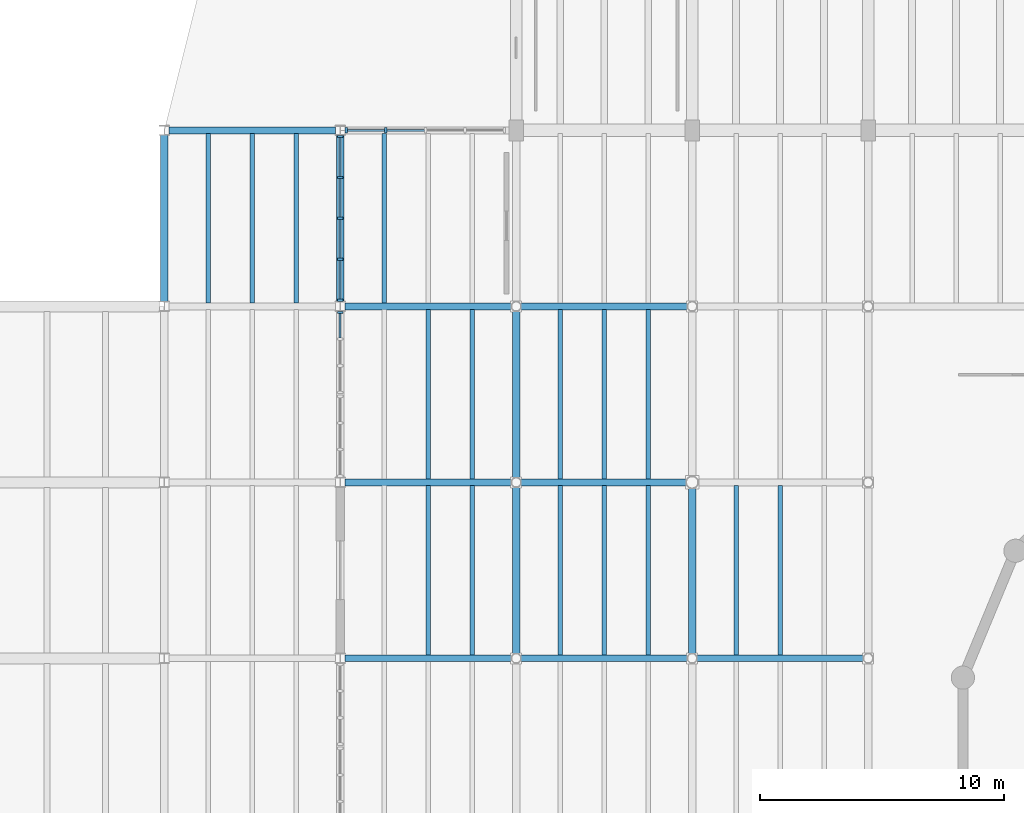
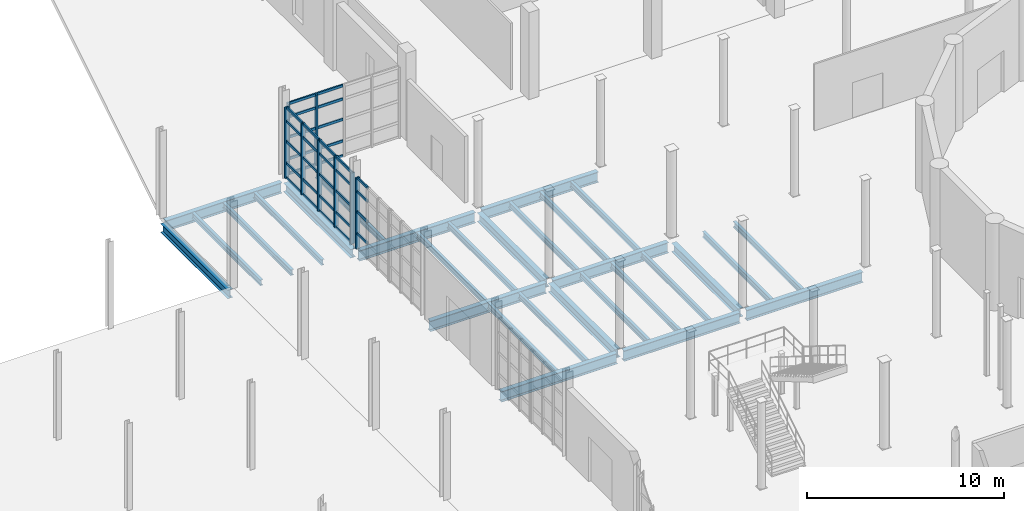
# One storey, part 33 of 79: 42 members, 29 beams, 3 elements without a shape of their own.
"""IFC4 building model written with IfcOpenShell, lengths in metres."""

from ifc_helpers import new_model, si_unit, direction, frame, origin, origin_2d, place, context, subcontext, project, spatial, rectangle, i_section, extrude, material, material_profile, profile_set, type_object, element, aggregate, save


model = new_model("IFC4")

# Units and contexts
model_context = context("Model", 3, precision=1e-05, world=origin(), true_north=direction((0.0, 1.0)))
body_context = subcontext(model_context, "Body", "Model", "MODEL_VIEW")
ifc_project = project(units=[si_unit("LENGTHUNIT", "METRE"), si_unit("AREAUNIT", "SQUARE_METRE"), si_unit("VOLUMEUNIT", "CUBIC_METRE"), si_unit("PLANEANGLEUNIT", "RADIAN"), si_unit("MASSUNIT", "GRAM", prefix="KILO")], contexts=[model_context])

# Site, building, storey
site_placement = place(None, origin())
site = spatial("IfcSite", under=ifc_project, at=site_placement, CompositionType="ELEMENT")
building_placement = place(site_placement, origin())
building = spatial("IfcBuilding", under=site, at=building_placement, Name="Qiaolan Assembly House", CompositionType="ELEMENT")
storey_placement = place(building_placement, origin())
storey = spatial("IfcBuildingStorey", under=building, at=storey_placement, Name="L00", CompositionType="ELEMENT", Elevation=0.0)

# Beams
ifc_material_1 = material(Name="Steel Q355B", Category="steel")
ifc_material_profile_1 = material_profile(ifc_material_1, i_section(OverallWidth=0.300048828125, OverallDepth=0.5400390625, WebThickness=0.010986328125, FlangeThickness=0.01806640625, FilletRadius=0.02001953125, at=origin_2d()), Name="HM 540x300x11x18")
ifc_profile_set_1 = profile_set([ifc_material_profile_1], Name="Steel Q355B")
beam_type_1 = type_object("IfcBeamType", Name="BM-STL-HM540", PredefinedType="BEAM", material=ifc_profile_set_1)
for number, where, z_axis, x_axis, name in (
    (1, (21.60009765625, 79.389892578125, -0.570068359375), (0.0, 1.0, 0.0), (-1.0, 0.0, 0.0), "SB-12 beam BMY-HL-L00-00-06"),
    (2, (28.800048828125, 79.389892578125, -0.570068359375), (0.0, 1.0, 0.0), (-1.0, 0.0, 0.0), "SB-12 beam BMY-HL-L00-01-06"),
):
    element("IfcBeam", number, at=place(storey_placement, frame(where, z_axis=z_axis, x_axis=x_axis)), inside=storey, type_object=beam_type_1, Name=name, PredefinedType="BEAM", context=body_context, shape_type="SweptSolid", body=[
        extrude(i_section(OverallWidth=0.300048828125, OverallDepth=0.5400390625, WebThickness=0.010986328125, FlangeThickness=0.01806640625, FilletRadius=0.02001953125, at=origin_2d()), origin(), (0.0, 0.0, 1.0), 6.820068359375),
    ])
for number, where, z_axis, x_axis, name in (
    (3, (36.0, 64.9931640625, -0.570068359375), (0.0, 1.0, 0.0), (-1.0, 0.0, 0.0), "SB-12 beam BMY-HL-L00-02-04"),
    (4, (36.0, 72.193115234375, -0.570068359375), (0.0, 1.0, 0.0), (-1.0, 0.0, 0.0), "SB-12 beam BMY-HL-L00-02-05"),
):
    element("IfcBeam", number, at=place(storey_placement, frame(where, z_axis=z_axis, x_axis=x_axis)), inside=storey, type_object=beam_type_1, Name=name, PredefinedType="BEAM", context=body_context, shape_type="SweptSolid", body=[
        extrude(i_section(OverallWidth=0.300048828125, OverallDepth=0.5400390625, WebThickness=0.010986328125, FlangeThickness=0.01806640625, FilletRadius=0.02001953125, at=origin_2d()), origin(), (0.0, 0.0, 1.0), 6.813720703125),
    ])
beam_1_placement = place(storey_placement, frame((43.199951171875, 64.9931640625, -0.570068359375), z_axis=(0.0, 1.0, 0.0), x_axis=(-1.0, 0.0, 0.0)))
element("IfcBeam", 5, at=beam_1_placement, inside=storey, type_object=beam_type_1, Name="SB-12 beam BMY-HL-L00-03-04", PredefinedType="BEAM", context=body_context, shape_type="SweptSolid", body=[
    extrude(i_section(OverallWidth=0.300048828125, OverallDepth=0.5400390625, WebThickness=0.010986328125, FlangeThickness=0.01806640625, FilletRadius=0.02001953125, at=origin_2d()), origin(), (0.0, 0.0, 1.0), 6.762939453125),
])
ifc_material_profile_2 = material_profile(ifc_material_1, i_section(OverallWidth=0.280029296875, OverallDepth=0.64990234375, WebThickness=0.011962890625, FlangeThickness=0.02197265625, FilletRadius=0.02197265625, at=origin_2d()), Name="HN 650x280x12x22")
ifc_profile_set_2 = profile_set([ifc_material_profile_2], Name="Steel Q355B")
beam_type_2 = type_object("IfcBeamType", Name="BM-STL-HN650", PredefinedType="BEAM", material=ifc_profile_set_2)
beam_2_placement = place(storey_placement, frame((28.989990234375, 64.800048828125, -0.625), z_axis=(1.0, 0.0, 0.0), x_axis=(0.0, 1.0, 0.0)))
element("IfcBeam", 6, at=beam_2_placement, inside=storey, type_object=beam_type_2, Name="SB-10 beam BMX-HL-L00-01-04", PredefinedType="BEAM", context=body_context, shape_type="SweptSolid", body=[
    extrude(i_section(OverallWidth=0.280029296875, OverallDepth=0.64990234375, WebThickness=0.011962890625, FlangeThickness=0.02197265625, FilletRadius=0.02197265625, at=origin_2d()), origin(), (0.0, 0.0, 1.0), 6.81689453125),
])
beam_3_placement = place(storey_placement, frame((36.193115234375, 64.800048828125, -0.625), z_axis=(1.0, 0.0, 0.0), x_axis=(0.0, 1.0, 0.0)))
element("IfcBeam", 7, at=beam_3_placement, inside=storey, type_object=beam_type_2, Name="SB-10 beam BMX-HL-L00-02-04", PredefinedType="BEAM", context=body_context, shape_type="SweptSolid", body=[
    extrude(i_section(OverallWidth=0.280029296875, OverallDepth=0.64990234375, WebThickness=0.011962890625, FlangeThickness=0.02197265625, FilletRadius=0.02197265625, at=origin_2d()), origin(), (0.0, 0.0, 1.0), 6.813720703125),
])
beam_4_placement = place(storey_placement, frame((43.393310546875, 64.800048828125, -0.625), z_axis=(1.0, 0.0, 0.0), x_axis=(0.0, 1.0, 0.0)))
element("IfcBeam", 8, at=beam_4_placement, inside=storey, type_object=beam_type_2, Name="SB-10 beam BMX-HL-L00-03-04", PredefinedType="BEAM", context=body_context, shape_type="SweptSolid", body=[
    extrude(i_section(OverallWidth=0.280029296875, OverallDepth=0.64990234375, WebThickness=0.011962890625, FlangeThickness=0.02197265625, FilletRadius=0.02197265625, at=origin_2d()), origin(), (0.0, 0.0, 1.0), 6.8134765625),
])
beam_5_placement = place(storey_placement, frame((28.989990234375, 72.0, -0.625), z_axis=(1.0, 0.0, 0.0), x_axis=(0.0, 1.0, 0.0)))
element("IfcBeam", 9, at=beam_5_placement, inside=storey, type_object=beam_type_2, Name="SB-10 beam BMX-HL-L00-01-05", PredefinedType="BEAM", context=body_context, shape_type="SweptSolid", body=[
    extrude(i_section(OverallWidth=0.280029296875, OverallDepth=0.64990234375, WebThickness=0.011962890625, FlangeThickness=0.02197265625, FilletRadius=0.02197265625, at=origin_2d()), origin(), (0.0, 0.0, 1.0), 6.81689453125),
])
beam_6_placement = place(storey_placement, frame((36.193115234375, 72.0, -0.625), z_axis=(1.0, 0.0, 0.0), x_axis=(0.0, 1.0, 0.0)))
element("IfcBeam", 10, at=beam_6_placement, inside=storey, type_object=beam_type_2, Name="SB-10 beam BMX-HL-L00-02-05", PredefinedType="BEAM", context=body_context, shape_type="SweptSolid", body=[
    extrude(i_section(OverallWidth=0.280029296875, OverallDepth=0.64990234375, WebThickness=0.011962890625, FlangeThickness=0.02197265625, FilletRadius=0.02197265625, at=origin_2d()), origin(), (0.0, 0.0, 1.0), 6.762939453125),
])
beam_7_placement = place(storey_placement, frame((28.989990234375, 79.199951171875, -0.625), z_axis=(1.0, 0.0, 0.0), x_axis=(0.0, 1.0, 0.0)))
element("IfcBeam", 11, at=beam_7_placement, inside=storey, type_object=beam_type_2, Name="SB-10 beam BMX-HL-L00-01-06", PredefinedType="BEAM", context=body_context, shape_type="SweptSolid", body=[
    extrude(i_section(OverallWidth=0.280029296875, OverallDepth=0.64990234375, WebThickness=0.011962890625, FlangeThickness=0.02197265625, FilletRadius=0.02197265625, at=origin_2d()), origin(), (0.0, 0.0, 1.0), 6.81689453125),
])
beam_8_placement = place(storey_placement, frame((36.193115234375, 79.199951171875, -0.625), z_axis=(1.0, 0.0, 0.0), x_axis=(0.0, 1.0, 0.0)))
element("IfcBeam", 12, at=beam_8_placement, inside=storey, type_object=beam_type_2, Name="SB-10 beam BMX-HL-L00-02-06", PredefinedType="BEAM", context=body_context, shape_type="SweptSolid", body=[
    extrude(i_section(OverallWidth=0.280029296875, OverallDepth=0.64990234375, WebThickness=0.011962890625, FlangeThickness=0.02197265625, FilletRadius=0.02197265625, at=origin_2d()), origin(), (0.0, 0.0, 1.0), 6.813720703125),
])
beam_9_placement = place(storey_placement, frame((21.7900390625, 86.39990234375, -0.625), z_axis=(1.0, 0.0, 0.0), x_axis=(0.0, 1.0, 0.0)))
element("IfcBeam", 13, at=beam_9_placement, inside=storey, type_object=beam_type_2, Name="SB-10 beam BMX-HL-L00-00-07", PredefinedType="BEAM", context=body_context, shape_type="SweptSolid", body=[
    extrude(i_section(OverallWidth=0.280029296875, OverallDepth=0.64990234375, WebThickness=0.011962890625, FlangeThickness=0.02197265625, FilletRadius=0.02197265625, at=origin_2d()), origin(), (0.0, 0.0, 1.0), 6.820068359375),
])

# Curtain wall, member
ifc_material_2 = material(Name="Anodised bronze aluminium", Category="aluminium")
curtain_wall_type = type_object("IfcCurtainWallType", Name="CW-HALL-MAIN-540", PredefinedType="NOTDEFINED", material=ifc_material_2)
curtain_wall_1_placement = place(storey_placement, origin())
curtain_wall_1 = element("IfcCurtainWall", 14, at=curtain_wall_1_placement, inside=storey, type_object=curtain_wall_type, Name="CW-01 Hall West facade L00-5B", PredefinedType="NOTDEFINED")
ifc_material_profile_3 = material_profile(ifc_material_2, rectangle(XDim=0.092041015625, YDim=0.219970703125, at=origin_2d()), Name="MUL 92x220")
ifc_profile_set_3 = profile_set([ifc_material_profile_3], Name="Anodised bronze aluminium")
member_type_1 = type_object("IfcMemberType", Name="CW-HALL-MAIN-540-MUL", PredefinedType="MULLION", material=ifc_profile_set_3)
member_1_placement = place(storey_placement, frame((28.800048828125, 78.949951171875, 0.0), z_axis=(0.0, 0.0, 1.0), x_axis=(0.0, 1.0, 0.0)))
member_1 = element("IfcMember", 15, at=member_1_placement, type_object=member_type_1, Name="ML-01 mullion CW-HALL-W-L00-5B-4", PredefinedType="MULLION", context=body_context, shape_type="SweptSolid", body=[
    extrude(rectangle(XDim=0.092041015625, YDim=0.219970703125, at=origin_2d()), origin(), (0.0, 0.0, 1.0), 4.39990234375),
])

# Curtain wall, members
curtain_wall_2_placement = place(storey_placement, origin())
curtain_wall_2 = element("IfcCurtainWall", 16, at=curtain_wall_2_placement, inside=storey, type_object=curtain_wall_type, Name="CW-01 Hall West facade L00-6", PredefinedType="NOTDEFINED")
member_2_placement = place(storey_placement, frame((28.800048828125, 79.449951171875, 0.0), z_axis=(0.0, 0.0, 1.0), x_axis=(0.0, 1.0, 0.0)))
member_2 = element("IfcMember", 17, at=member_2_placement, type_object=member_type_1, Name="ML-01 mullion CW-HALL-W-L00-6-1", PredefinedType="MULLION", context=body_context, shape_type="SweptSolid", body=[
    extrude(rectangle(XDim=0.092041015625, YDim=0.219970703125, at=origin_2d()), origin(), (0.0, 0.0, 1.0), 4.39990234375),
])
member_3_placement = place(storey_placement, frame((28.800048828125, 81.125, 0.0), z_axis=(0.0, 0.0, 1.0), x_axis=(0.0, 1.0, 0.0)))
member_3 = element("IfcMember", 18, at=member_3_placement, type_object=member_type_1, Name="ML-01 mullion CW-HALL-W-L00-6-2", PredefinedType="MULLION", context=body_context, shape_type="SweptSolid", body=[
    extrude(rectangle(XDim=0.092041015625, YDim=0.219970703125, at=origin_2d()), origin(), (0.0, 0.0, 1.0), 4.39990234375),
])
member_4_placement = place(storey_placement, frame((28.800048828125, 82.800048828125, 0.0), z_axis=(0.0, 0.0, 1.0), x_axis=(0.0, 1.0, 0.0)))
member_4 = element("IfcMember", 19, at=member_4_placement, type_object=member_type_1, Name="ML-01 mullion CW-HALL-W-L00-6-3", PredefinedType="MULLION", context=body_context, shape_type="SweptSolid", body=[
    extrude(rectangle(XDim=0.092041015625, YDim=0.219970703125, at=origin_2d()), origin(), (0.0, 0.0, 1.0), 4.39990234375),
])
member_5_placement = place(storey_placement, frame((28.800048828125, 84.47509765625, 0.0), z_axis=(0.0, 0.0, 1.0), x_axis=(0.0, 1.0, 0.0)))
member_5 = element("IfcMember", 20, at=member_5_placement, type_object=member_type_1, Name="ML-01 mullion CW-HALL-W-L00-6-4", PredefinedType="MULLION", context=body_context, shape_type="SweptSolid", body=[
    extrude(rectangle(XDim=0.092041015625, YDim=0.219970703125, at=origin_2d()), origin(), (0.0, 0.0, 1.0), 4.39990234375),
])
member_6_placement = place(storey_placement, frame((28.800048828125, 86.14990234375, 0.0), z_axis=(0.0, 0.0, 1.0), x_axis=(0.0, 1.0, 0.0)))
member_6 = element("IfcMember", 21, at=member_6_placement, type_object=member_type_1, Name="ML-01 mullion CW-HALL-W-L00-6-5", PredefinedType="MULLION", context=body_context, shape_type="SweptSolid", body=[
    extrude(rectangle(XDim=0.092041015625, YDim=0.219970703125, at=origin_2d()), origin(), (0.0, 0.0, 1.0), 4.39990234375),
])

curtain_wall_3_placement = place(storey_placement, origin())
curtain_wall_3 = element("IfcCurtainWall", 22, at=curtain_wall_3_placement, inside=storey, type_object=curtain_wall_type, Name="CW-02 Hall North-West link CW L00", PredefinedType="NOTDEFINED")
member_7_placement = place(storey_placement, frame((30.66748046875, 86.39990234375, 0.0), z_axis=(0.0, 0.0, 1.0), x_axis=(-1.0, 0.0, 0.0)))
member_7 = element("IfcMember", 23, at=member_7_placement, type_object=member_type_1, Name="ML-01 mullion CW-HALL-NWJ-L00-4", PredefinedType="MULLION", context=body_context, shape_type="SweptSolid", body=[
    extrude(rectangle(XDim=0.092041015625, YDim=0.219970703125, at=origin_2d()), origin(), (0.0, 0.0, 1.0), 4.39990234375),
])
member_8_placement = place(storey_placement, frame((29.050048828125, 86.39990234375, 0.0), z_axis=(0.0, 0.0, 1.0), x_axis=(-1.0, 0.0, 0.0)))
member_8 = element("IfcMember", 24, at=member_8_placement, type_object=member_type_1, Name="ML-01 mullion CW-HALL-NWJ-L00-5", PredefinedType="MULLION", context=body_context, shape_type="SweptSolid", body=[
    extrude(rectangle(XDim=0.092041015625, YDim=0.219970703125, at=origin_2d()), origin(), (0.0, 0.0, 1.0), 4.39990234375),
])

# Member
ifc_material_profile_4 = material_profile(ifc_material_2, rectangle(XDim=0.08203125, YDim=0.159912109375, at=origin_2d()), Name="TRN 82x160")
ifc_profile_set_4 = profile_set([ifc_material_profile_4], Name="Anodised bronze aluminium")
member_type_2 = type_object("IfcMemberType", Name="CW-HALL-MAIN-540-TRN", PredefinedType="USERDEFINED", material=ifc_profile_set_4)
member_9_placement = place(storey_placement, frame((28.800048828125, 77.906005859375, 0.949951171875), z_axis=(0.0, 1.0, 0.0), x_axis=(-1.0, 0.0, 0.0)))
member_9 = element("IfcMember", 25, at=member_9_placement, type_object=member_type_2, Name="TR-01 transom CW-HALL-W-L00-5B-3-2", ObjectType="TRANSOM", PredefinedType="USERDEFINED", context=body_context, shape_type="SweptSolid", body=[
    extrude(rectangle(XDim=0.08203125, YDim=0.159912109375, at=origin_2d()), origin(), (0.0, 0.0, 1.0), 0.998046875),
])

member_10_placement = place(storey_placement, frame((28.800048828125, 77.906005859375, 2.2880859375), z_axis=(0.0, 1.0, 0.0), x_axis=(-1.0, 0.0, 0.0)))
member_10 = element("IfcMember", 26, at=member_10_placement, type_object=member_type_2, Name="TR-01 transom CW-HALL-W-L00-5B-3-3", ObjectType="TRANSOM", PredefinedType="USERDEFINED", context=body_context, shape_type="SweptSolid", body=[
    extrude(rectangle(XDim=0.08203125, YDim=0.159912109375, at=origin_2d()), origin(), (0.0, 0.0, 1.0), 0.998046875),
])

member_11_placement = place(storey_placement, frame((28.800048828125, 77.906005859375, 3.550048828125), z_axis=(0.0, 1.0, 0.0), x_axis=(-1.0, 0.0, 0.0)))
member_11 = element("IfcMember", 27, at=member_11_placement, type_object=member_type_2, Name="TR-01 transom CW-HALL-W-L00-5B-3-4", ObjectType="TRANSOM", PredefinedType="USERDEFINED", context=body_context, shape_type="SweptSolid", body=[
    extrude(rectangle(XDim=0.08203125, YDim=0.159912109375, at=origin_2d()), origin(), (0.0, 0.0, 1.0), 0.998046875),
])

member_12_placement = place(storey_placement, frame((28.800048828125, 77.906005859375, 4.3701171875), z_axis=(0.0, 1.0, 0.0), x_axis=(-1.0, 0.0, 0.0)))
member_12 = element("IfcMember", 28, at=member_12_placement, type_object=member_type_2, Name="TR-01 transom CW-HALL-W-L00-5B-3-5", ObjectType="TRANSOM", PredefinedType="USERDEFINED", context=body_context, shape_type="SweptSolid", body=[
    extrude(rectangle(XDim=0.08203125, YDim=0.159912109375, at=origin_2d()), origin(), (0.0, 0.0, 1.0), 0.998046875),
])

aggregate(curtain_wall_1, [member_1, member_9, member_10, member_11, member_12])

member_13_placement = place(storey_placement, frame((28.800048828125, 79.49609375, 0.030029296875), z_axis=(0.0, 1.0, 0.0), x_axis=(-1.0, 0.0, 0.0)))
member_13 = element("IfcMember", 29, at=member_13_placement, type_object=member_type_2, Name="TR-01 transom CW-HALL-W-L00-6-1-1", ObjectType="TRANSOM", PredefinedType="USERDEFINED", context=body_context, shape_type="SweptSolid", body=[
    extrude(rectangle(XDim=0.08203125, YDim=0.159912109375, at=origin_2d()), origin(), (0.0, 0.0, 1.0), 1.5830078125),
])

member_14_placement = place(storey_placement, frame((28.800048828125, 79.49609375, 0.949951171875), z_axis=(0.0, 1.0, 0.0), x_axis=(-1.0, 0.0, 0.0)))
member_14 = element("IfcMember", 30, at=member_14_placement, type_object=member_type_2, Name="TR-01 transom CW-HALL-W-L00-6-1-2", ObjectType="TRANSOM", PredefinedType="USERDEFINED", context=body_context, shape_type="SweptSolid", body=[
    extrude(rectangle(XDim=0.08203125, YDim=0.159912109375, at=origin_2d()), origin(), (0.0, 0.0, 1.0), 1.5830078125),
])

member_15_placement = place(storey_placement, frame((28.800048828125, 79.49609375, 2.2880859375), z_axis=(0.0, 1.0, 0.0), x_axis=(-1.0, 0.0, 0.0)))
member_15 = element("IfcMember", 31, at=member_15_placement, type_object=member_type_2, Name="TR-01 transom CW-HALL-W-L00-6-1-3", ObjectType="TRANSOM", PredefinedType="USERDEFINED", context=body_context, shape_type="SweptSolid", body=[
    extrude(rectangle(XDim=0.08203125, YDim=0.159912109375, at=origin_2d()), origin(), (0.0, 0.0, 1.0), 1.5830078125),
])

member_16_placement = place(storey_placement, frame((28.800048828125, 79.49609375, 3.550048828125), z_axis=(0.0, 1.0, 0.0), x_axis=(-1.0, 0.0, 0.0)))
member_16 = element("IfcMember", 32, at=member_16_placement, type_object=member_type_2, Name="TR-01 transom CW-HALL-W-L00-6-1-4", ObjectType="TRANSOM", PredefinedType="USERDEFINED", context=body_context, shape_type="SweptSolid", body=[
    extrude(rectangle(XDim=0.08203125, YDim=0.159912109375, at=origin_2d()), origin(), (0.0, 0.0, 1.0), 1.5830078125),
])

member_17_placement = place(storey_placement, frame((28.800048828125, 79.49609375, 4.3701171875), z_axis=(0.0, 1.0, 0.0), x_axis=(-1.0, 0.0, 0.0)))
member_17 = element("IfcMember", 33, at=member_17_placement, type_object=member_type_2, Name="TR-01 transom CW-HALL-W-L00-6-1-5", ObjectType="TRANSOM", PredefinedType="USERDEFINED", context=body_context, shape_type="SweptSolid", body=[
    extrude(rectangle(XDim=0.08203125, YDim=0.159912109375, at=origin_2d()), origin(), (0.0, 0.0, 1.0), 1.5830078125),
])

member_18_placement = place(storey_placement, frame((28.800048828125, 81.1708984375, 0.030029296875), z_axis=(0.0, 1.0, 0.0), x_axis=(-1.0, 0.0, 0.0)))
member_18 = element("IfcMember", 34, at=member_18_placement, type_object=member_type_2, Name="TR-01 transom CW-HALL-W-L00-6-2-1", ObjectType="TRANSOM", PredefinedType="USERDEFINED", context=body_context, shape_type="SweptSolid", body=[
    extrude(rectangle(XDim=0.08203125, YDim=0.159912109375, at=origin_2d()), origin(), (0.0, 0.0, 1.0), 1.5830078125),
])

member_19_placement = place(storey_placement, frame((28.800048828125, 81.1708984375, 0.949951171875), z_axis=(0.0, 1.0, 0.0), x_axis=(-1.0, 0.0, 0.0)))
member_19 = element("IfcMember", 35, at=member_19_placement, type_object=member_type_2, Name="TR-01 transom CW-HALL-W-L00-6-2-2", ObjectType="TRANSOM", PredefinedType="USERDEFINED", context=body_context, shape_type="SweptSolid", body=[
    extrude(rectangle(XDim=0.08203125, YDim=0.159912109375, at=origin_2d()), origin(), (0.0, 0.0, 1.0), 1.5830078125),
])

member_20_placement = place(storey_placement, frame((28.800048828125, 81.1708984375, 2.2880859375), z_axis=(0.0, 1.0, 0.0), x_axis=(-1.0, 0.0, 0.0)))
member_20 = element("IfcMember", 36, at=member_20_placement, type_object=member_type_2, Name="TR-01 transom CW-HALL-W-L00-6-2-3", ObjectType="TRANSOM", PredefinedType="USERDEFINED", context=body_context, shape_type="SweptSolid", body=[
    extrude(rectangle(XDim=0.08203125, YDim=0.159912109375, at=origin_2d()), origin(), (0.0, 0.0, 1.0), 1.5830078125),
])

member_21_placement = place(storey_placement, frame((28.800048828125, 81.1708984375, 3.550048828125), z_axis=(0.0, 1.0, 0.0), x_axis=(-1.0, 0.0, 0.0)))
member_21 = element("IfcMember", 37, at=member_21_placement, type_object=member_type_2, Name="TR-01 transom CW-HALL-W-L00-6-2-4", ObjectType="TRANSOM", PredefinedType="USERDEFINED", context=body_context, shape_type="SweptSolid", body=[
    extrude(rectangle(XDim=0.08203125, YDim=0.159912109375, at=origin_2d()), origin(), (0.0, 0.0, 1.0), 1.5830078125),
])

member_22_placement = place(storey_placement, frame((28.800048828125, 81.1708984375, 4.3701171875), z_axis=(0.0, 1.0, 0.0), x_axis=(-1.0, 0.0, 0.0)))
member_22 = element("IfcMember", 38, at=member_22_placement, type_object=member_type_2, Name="TR-01 transom CW-HALL-W-L00-6-2-5", ObjectType="TRANSOM", PredefinedType="USERDEFINED", context=body_context, shape_type="SweptSolid", body=[
    extrude(rectangle(XDim=0.08203125, YDim=0.159912109375, at=origin_2d()), origin(), (0.0, 0.0, 1.0), 1.5830078125),
])

member_23_placement = place(storey_placement, frame((28.800048828125, 82.845947265625, 0.030029296875), z_axis=(0.0, 1.0, 0.0), x_axis=(-1.0, 0.0, 0.0)))
member_23 = element("IfcMember", 39, at=member_23_placement, type_object=member_type_2, Name="TR-01 transom CW-HALL-W-L00-6-3-1", ObjectType="TRANSOM", PredefinedType="USERDEFINED", context=body_context, shape_type="SweptSolid", body=[
    extrude(rectangle(XDim=0.08203125, YDim=0.159912109375, at=origin_2d()), origin(), (0.0, 0.0, 1.0), 1.5830078125),
])

member_24_placement = place(storey_placement, frame((28.800048828125, 82.845947265625, 0.949951171875), z_axis=(0.0, 1.0, 0.0), x_axis=(-1.0, 0.0, 0.0)))
member_24 = element("IfcMember", 40, at=member_24_placement, type_object=member_type_2, Name="TR-01 transom CW-HALL-W-L00-6-3-2", ObjectType="TRANSOM", PredefinedType="USERDEFINED", context=body_context, shape_type="SweptSolid", body=[
    extrude(rectangle(XDim=0.08203125, YDim=0.159912109375, at=origin_2d()), origin(), (0.0, 0.0, 1.0), 1.5830078125),
])

member_25_placement = place(storey_placement, frame((28.800048828125, 82.845947265625, 2.2880859375), z_axis=(0.0, 1.0, 0.0), x_axis=(-1.0, 0.0, 0.0)))
member_25 = element("IfcMember", 41, at=member_25_placement, type_object=member_type_2, Name="TR-01 transom CW-HALL-W-L00-6-3-3", ObjectType="TRANSOM", PredefinedType="USERDEFINED", context=body_context, shape_type="SweptSolid", body=[
    extrude(rectangle(XDim=0.08203125, YDim=0.159912109375, at=origin_2d()), origin(), (0.0, 0.0, 1.0), 1.5830078125),
])

member_26_placement = place(storey_placement, frame((28.800048828125, 82.845947265625, 3.550048828125), z_axis=(0.0, 1.0, 0.0), x_axis=(-1.0, 0.0, 0.0)))
member_26 = element("IfcMember", 42, at=member_26_placement, type_object=member_type_2, Name="TR-01 transom CW-HALL-W-L00-6-3-4", ObjectType="TRANSOM", PredefinedType="USERDEFINED", context=body_context, shape_type="SweptSolid", body=[
    extrude(rectangle(XDim=0.08203125, YDim=0.159912109375, at=origin_2d()), origin(), (0.0, 0.0, 1.0), 1.5830078125),
])

member_27_placement = place(storey_placement, frame((28.800048828125, 82.845947265625, 4.3701171875), z_axis=(0.0, 1.0, 0.0), x_axis=(-1.0, 0.0, 0.0)))
member_27 = element("IfcMember", 43, at=member_27_placement, type_object=member_type_2, Name="TR-01 transom CW-HALL-W-L00-6-3-5", ObjectType="TRANSOM", PredefinedType="USERDEFINED", context=body_context, shape_type="SweptSolid", body=[
    extrude(rectangle(XDim=0.08203125, YDim=0.159912109375, at=origin_2d()), origin(), (0.0, 0.0, 1.0), 1.5830078125),
])

member_28_placement = place(storey_placement, frame((28.800048828125, 84.52099609375, 0.030029296875), z_axis=(0.0, 1.0, 0.0), x_axis=(-1.0, 0.0, 0.0)))
member_28 = element("IfcMember", 44, at=member_28_placement, type_object=member_type_2, Name="TR-01 transom CW-HALL-W-L00-6-4-1", ObjectType="TRANSOM", PredefinedType="USERDEFINED", context=body_context, shape_type="SweptSolid", body=[
    extrude(rectangle(XDim=0.08203125, YDim=0.159912109375, at=origin_2d()), origin(), (0.0, 0.0, 1.0), 1.5830078125),
])

member_29_placement = place(storey_placement, frame((28.800048828125, 84.52099609375, 0.949951171875), z_axis=(0.0, 1.0, 0.0), x_axis=(-1.0, 0.0, 0.0)))
member_29 = element("IfcMember", 45, at=member_29_placement, type_object=member_type_2, Name="TR-01 transom CW-HALL-W-L00-6-4-2", ObjectType="TRANSOM", PredefinedType="USERDEFINED", context=body_context, shape_type="SweptSolid", body=[
    extrude(rectangle(XDim=0.08203125, YDim=0.159912109375, at=origin_2d()), origin(), (0.0, 0.0, 1.0), 1.5830078125),
])

member_30_placement = place(storey_placement, frame((28.800048828125, 84.52099609375, 2.2880859375), z_axis=(0.0, 1.0, 0.0), x_axis=(-1.0, 0.0, 0.0)))
member_30 = element("IfcMember", 46, at=member_30_placement, type_object=member_type_2, Name="TR-01 transom CW-HALL-W-L00-6-4-3", ObjectType="TRANSOM", PredefinedType="USERDEFINED", context=body_context, shape_type="SweptSolid", body=[
    extrude(rectangle(XDim=0.08203125, YDim=0.159912109375, at=origin_2d()), origin(), (0.0, 0.0, 1.0), 1.5830078125),
])

member_31_placement = place(storey_placement, frame((28.800048828125, 84.52099609375, 3.550048828125), z_axis=(0.0, 1.0, 0.0), x_axis=(-1.0, 0.0, 0.0)))
member_31 = element("IfcMember", 47, at=member_31_placement, type_object=member_type_2, Name="TR-01 transom CW-HALL-W-L00-6-4-4", ObjectType="TRANSOM", PredefinedType="USERDEFINED", context=body_context, shape_type="SweptSolid", body=[
    extrude(rectangle(XDim=0.08203125, YDim=0.159912109375, at=origin_2d()), origin(), (0.0, 0.0, 1.0), 1.5830078125),
])

member_32_placement = place(storey_placement, frame((28.800048828125, 84.52099609375, 4.3701171875), z_axis=(0.0, 1.0, 0.0), x_axis=(-1.0, 0.0, 0.0)))
member_32 = element("IfcMember", 48, at=member_32_placement, type_object=member_type_2, Name="TR-01 transom CW-HALL-W-L00-6-4-5", ObjectType="TRANSOM", PredefinedType="USERDEFINED", context=body_context, shape_type="SweptSolid", body=[
    extrude(rectangle(XDim=0.08203125, YDim=0.159912109375, at=origin_2d()), origin(), (0.0, 0.0, 1.0), 1.5830078125),
])

aggregate(curtain_wall_2, [member_2, member_3, member_4, member_5, member_6, member_13, member_14, member_15, member_16, member_17, member_18, member_19, member_20, member_21, member_22, member_23, member_24, member_25, member_26, member_27, member_28, member_29, member_30, member_31, member_32])

member_33_placement = place(storey_placement, frame((32.239013671875, 86.39990234375, 0.030029296875), z_axis=(-1.0, 0.0, 0.0), x_axis=(0.0, -1.0, 0.0)))
member_33 = element("IfcMember", 49, at=member_33_placement, type_object=member_type_2, Name="TR-01 transom CW-HALL-NWJ-L00-3-1", ObjectType="TRANSOM", PredefinedType="USERDEFINED", context=body_context, shape_type="SweptSolid", body=[
    extrude(rectangle(XDim=0.08203125, YDim=0.159912109375, at=origin_2d()), origin(), (0.0, 0.0, 1.0), 1.525634765625),
])

member_34_placement = place(storey_placement, frame((32.239013671875, 86.39990234375, 0.949951171875), z_axis=(-1.0, 0.0, 0.0), x_axis=(0.0, -1.0, 0.0)))
member_34 = element("IfcMember", 50, at=member_34_placement, type_object=member_type_2, Name="TR-01 transom CW-HALL-NWJ-L00-3-2", ObjectType="TRANSOM", PredefinedType="USERDEFINED", context=body_context, shape_type="SweptSolid", body=[
    extrude(rectangle(XDim=0.08203125, YDim=0.159912109375, at=origin_2d()), origin(), (0.0, 0.0, 1.0), 1.525634765625),
])

member_35_placement = place(storey_placement, frame((32.239013671875, 86.39990234375, 2.2880859375), z_axis=(-1.0, 0.0, 0.0), x_axis=(0.0, -1.0, 0.0)))
member_35 = element("IfcMember", 51, at=member_35_placement, type_object=member_type_2, Name="TR-01 transom CW-HALL-NWJ-L00-3-3", ObjectType="TRANSOM", PredefinedType="USERDEFINED", context=body_context, shape_type="SweptSolid", body=[
    extrude(rectangle(XDim=0.08203125, YDim=0.159912109375, at=origin_2d()), origin(), (0.0, 0.0, 1.0), 1.525634765625),
])

member_36_placement = place(storey_placement, frame((32.239013671875, 86.39990234375, 3.550048828125), z_axis=(-1.0, 0.0, 0.0), x_axis=(0.0, -1.0, 0.0)))
member_36 = element("IfcMember", 52, at=member_36_placement, type_object=member_type_2, Name="TR-01 transom CW-HALL-NWJ-L00-3-4", ObjectType="TRANSOM", PredefinedType="USERDEFINED", context=body_context, shape_type="SweptSolid", body=[
    extrude(rectangle(XDim=0.08203125, YDim=0.159912109375, at=origin_2d()), origin(), (0.0, 0.0, 1.0), 1.525634765625),
])

member_37_placement = place(storey_placement, frame((32.239013671875, 86.39990234375, 4.3701171875), z_axis=(-1.0, 0.0, 0.0), x_axis=(0.0, -1.0, 0.0)))
member_37 = element("IfcMember", 53, at=member_37_placement, type_object=member_type_2, Name="TR-01 transom CW-HALL-NWJ-L00-3-5", ObjectType="TRANSOM", PredefinedType="USERDEFINED", context=body_context, shape_type="SweptSolid", body=[
    extrude(rectangle(XDim=0.08203125, YDim=0.159912109375, at=origin_2d()), origin(), (0.0, 0.0, 1.0), 1.525634765625),
])

member_38_placement = place(storey_placement, frame((30.62158203125, 86.39990234375, 0.030029296875), z_axis=(-1.0, 0.0, 0.0), x_axis=(0.0, -1.0, 0.0)))
member_38 = element("IfcMember", 54, at=member_38_placement, type_object=member_type_2, Name="TR-01 transom CW-HALL-NWJ-L00-4-1", ObjectType="TRANSOM", PredefinedType="USERDEFINED", context=body_context, shape_type="SweptSolid", body=[
    extrude(rectangle(XDim=0.08203125, YDim=0.159912109375, at=origin_2d()), origin(), (0.0, 0.0, 1.0), 1.525634765625),
])

member_39_placement = place(storey_placement, frame((30.62158203125, 86.39990234375, 0.949951171875), z_axis=(-1.0, 0.0, 0.0), x_axis=(0.0, -1.0, 0.0)))
member_39 = element("IfcMember", 55, at=member_39_placement, type_object=member_type_2, Name="TR-01 transom CW-HALL-NWJ-L00-4-2", ObjectType="TRANSOM", PredefinedType="USERDEFINED", context=body_context, shape_type="SweptSolid", body=[
    extrude(rectangle(XDim=0.08203125, YDim=0.159912109375, at=origin_2d()), origin(), (0.0, 0.0, 1.0), 1.525634765625),
])

member_40_placement = place(storey_placement, frame((30.62158203125, 86.39990234375, 2.2880859375), z_axis=(-1.0, 0.0, 0.0), x_axis=(0.0, -1.0, 0.0)))
member_40 = element("IfcMember", 56, at=member_40_placement, type_object=member_type_2, Name="TR-01 transom CW-HALL-NWJ-L00-4-3", ObjectType="TRANSOM", PredefinedType="USERDEFINED", context=body_context, shape_type="SweptSolid", body=[
    extrude(rectangle(XDim=0.08203125, YDim=0.159912109375, at=origin_2d()), origin(), (0.0, 0.0, 1.0), 1.525634765625),
])

member_41_placement = place(storey_placement, frame((30.62158203125, 86.39990234375, 3.550048828125), z_axis=(-1.0, 0.0, 0.0), x_axis=(0.0, -1.0, 0.0)))
member_41 = element("IfcMember", 57, at=member_41_placement, type_object=member_type_2, Name="TR-01 transom CW-HALL-NWJ-L00-4-4", ObjectType="TRANSOM", PredefinedType="USERDEFINED", context=body_context, shape_type="SweptSolid", body=[
    extrude(rectangle(XDim=0.08203125, YDim=0.159912109375, at=origin_2d()), origin(), (0.0, 0.0, 1.0), 1.525634765625),
])

member_42_placement = place(storey_placement, frame((30.62158203125, 86.39990234375, 4.3701171875), z_axis=(-1.0, 0.0, 0.0), x_axis=(0.0, -1.0, 0.0)))
member_42 = element("IfcMember", 58, at=member_42_placement, type_object=member_type_2, Name="TR-01 transom CW-HALL-NWJ-L00-4-5", ObjectType="TRANSOM", PredefinedType="USERDEFINED", context=body_context, shape_type="SweptSolid", body=[
    extrude(rectangle(XDim=0.08203125, YDim=0.159912109375, at=origin_2d()), origin(), (0.0, 0.0, 1.0), 1.525634765625),
])

aggregate(curtain_wall_3, [member_7, member_8, member_33, member_34, member_35, member_36, member_37, member_38, member_39, member_40, member_41, member_42])

# Beams
ifc_material_profile_5 = material_profile(ifc_material_1, i_section(OverallWidth=0.175048828125, OverallDepth=0.35009765625, WebThickness=0.007080078125, FlangeThickness=0.010986328125, FilletRadius=0.013916015625, at=origin_2d()), Name="HN 350x175x7x11")
ifc_profile_set_5 = profile_set([ifc_material_profile_5], Name="Steel Q355B")
beam_type_3 = type_object("IfcBeamType", Name="JST-STL-HN350", PredefinedType="JOIST", material=ifc_profile_set_5)
for number, where, z_axis, x_axis, name in (
    (59, (23.39990234375, 79.333984375, -0.47509765625), (0.0, 1.0, 0.0), (-1.0, 0.0, 0.0), "SJ-01 beam JST-HL-L00-00-06-1"),
    (60, (25.199951171875, 79.333984375, -0.47509765625), (0.0, 1.0, 0.0), (-1.0, 0.0, 0.0), "SJ-01 beam JST-HL-L00-00-06-2"),
    (61, (27.0, 79.333984375, -0.47509765625), (0.0, 1.0, 0.0), (-1.0, 0.0, 0.0), "SJ-01 beam JST-HL-L00-00-06-3"),
):
    element("IfcBeam", number, at=place(storey_placement, frame(where, z_axis=z_axis, x_axis=x_axis)), inside=storey, type_object=beam_type_3, Name=name, PredefinedType="JOIST", context=body_context, shape_type="SweptSolid", body=[
        extrude(i_section(OverallWidth=0.175048828125, OverallDepth=0.35009765625, WebThickness=0.007080078125, FlangeThickness=0.010986328125, FilletRadius=0.013916015625, at=origin_2d()), origin(), (0.0, 0.0, 1.0), 6.93212890625),
    ])
for number, where, z_axis, x_axis, name in (
    (62, (32.39990234375, 64.93408203125, -0.47509765625), (0.0, 1.0, 0.0), (-1.0, 0.0, 0.0), "SJ-01 beam JST-HL-L00-01-04-2"),
    (63, (34.199951171875, 64.93408203125, -0.47509765625), (0.0, 1.0, 0.0), (-1.0, 0.0, 0.0), "SJ-01 beam JST-HL-L00-01-04-3"),
    (64, (32.39990234375, 72.134033203125, -0.47509765625), (0.0, 1.0, 0.0), (-1.0, 0.0, 0.0), "SJ-01 beam JST-HL-L00-01-05-2"),
    (65, (34.199951171875, 72.134033203125, -0.47509765625), (0.0, 1.0, 0.0), (-1.0, 0.0, 0.0), "SJ-01 beam JST-HL-L00-01-05-3"),
):
    element("IfcBeam", number, at=place(storey_placement, frame(where, z_axis=z_axis, x_axis=x_axis)), inside=storey, type_object=beam_type_3, Name=name, PredefinedType="JOIST", context=body_context, shape_type="SweptSolid", body=[
        extrude(i_section(OverallWidth=0.175048828125, OverallDepth=0.35009765625, WebThickness=0.007080078125, FlangeThickness=0.010986328125, FilletRadius=0.013916015625, at=origin_2d()), origin(), (0.0, 0.0, 1.0), 6.931884765625),
    ])
beam_10_placement = place(storey_placement, frame((30.60009765625, 79.333984375, -0.47509765625), z_axis=(0.0, 1.0, 0.0), x_axis=(-1.0, 0.0, 0.0)))
element("IfcBeam", 66, at=beam_10_placement, inside=storey, type_object=beam_type_3, Name="SJ-01 beam JST-HL-L00-01-06-1", PredefinedType="JOIST", context=body_context, shape_type="SweptSolid", body=[
    extrude(i_section(OverallWidth=0.175048828125, OverallDepth=0.35009765625, WebThickness=0.007080078125, FlangeThickness=0.010986328125, FilletRadius=0.013916015625, at=origin_2d()), origin(), (0.0, 0.0, 1.0), 6.93212890625),
])
for number, where, z_axis, x_axis, name in (
    (67, (37.800048828125, 64.93408203125, -0.47509765625), (0.0, 1.0, 0.0), (-1.0, 0.0, 0.0), "SJ-01 beam JST-HL-L00-02-04-1"),
    (68, (39.60009765625, 64.93408203125, -0.47509765625), (0.0, 1.0, 0.0), (-1.0, 0.0, 0.0), "SJ-01 beam JST-HL-L00-02-04-2"),
    (69, (41.39990234375, 64.93408203125, -0.47509765625), (0.0, 1.0, 0.0), (-1.0, 0.0, 0.0), "SJ-01 beam JST-HL-L00-02-04-3"),
    (70, (37.800048828125, 72.134033203125, -0.47509765625), (0.0, 1.0, 0.0), (-1.0, 0.0, 0.0), "SJ-01 beam JST-HL-L00-02-05-1"),
    (71, (39.60009765625, 72.134033203125, -0.47509765625), (0.0, 1.0, 0.0), (-1.0, 0.0, 0.0), "SJ-01 beam JST-HL-L00-02-05-2"),
    (72, (41.39990234375, 72.134033203125, -0.47509765625), (0.0, 1.0, 0.0), (-1.0, 0.0, 0.0), "SJ-01 beam JST-HL-L00-02-05-3"),
    (73, (45.0, 64.93408203125, -0.47509765625), (0.0, 1.0, 0.0), (-1.0, 0.0, 0.0), "SJ-01 beam JST-HL-L00-03-04-1"),
    (74, (46.800048828125, 64.93408203125, -0.47509765625), (0.0, 1.0, 0.0), (-1.0, 0.0, 0.0), "SJ-01 beam JST-HL-L00-03-04-2"),
):
    element("IfcBeam", number, at=place(storey_placement, frame(where, z_axis=z_axis, x_axis=x_axis)), inside=storey, type_object=beam_type_3, Name=name, PredefinedType="JOIST", context=body_context, shape_type="SweptSolid", body=[
        extrude(i_section(OverallWidth=0.175048828125, OverallDepth=0.35009765625, WebThickness=0.007080078125, FlangeThickness=0.010986328125, FilletRadius=0.013916015625, at=origin_2d()), origin(), (0.0, 0.0, 1.0), 6.931884765625),
    ])

save(model, "model.ifc")
